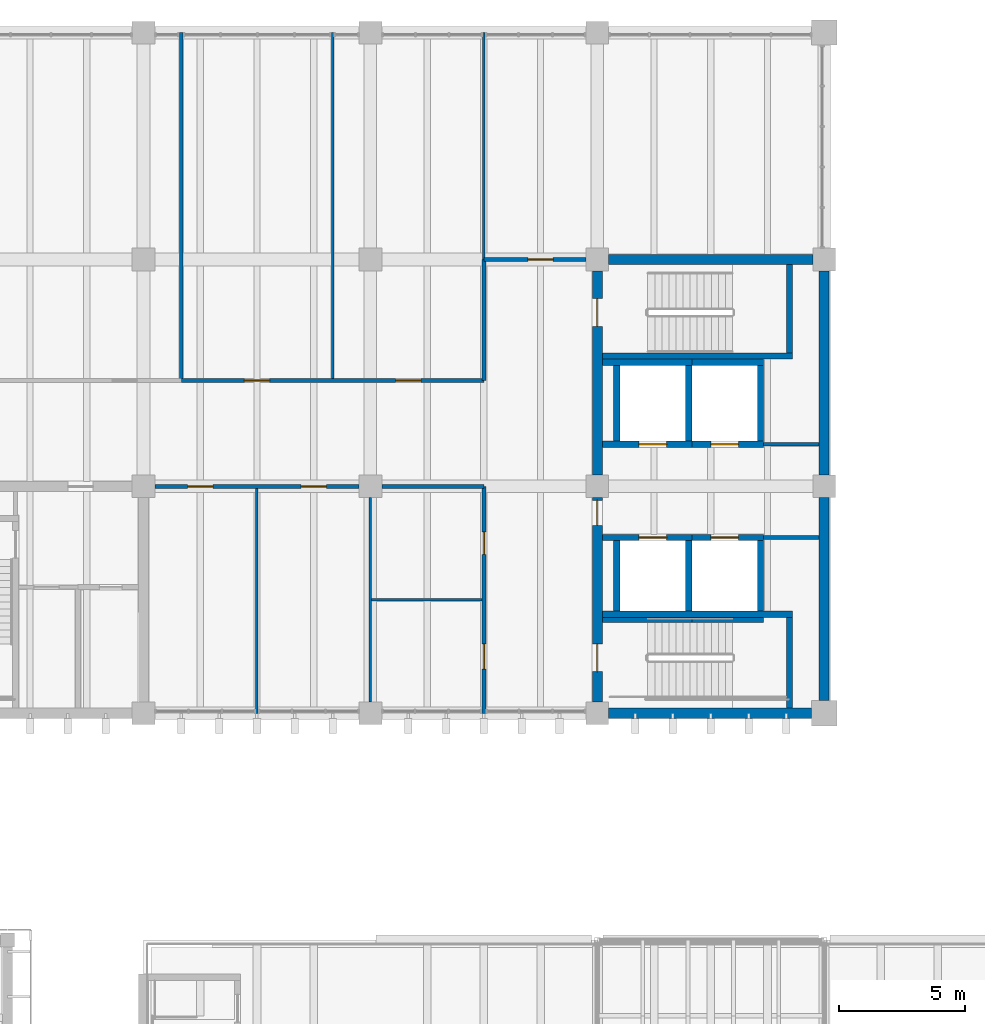
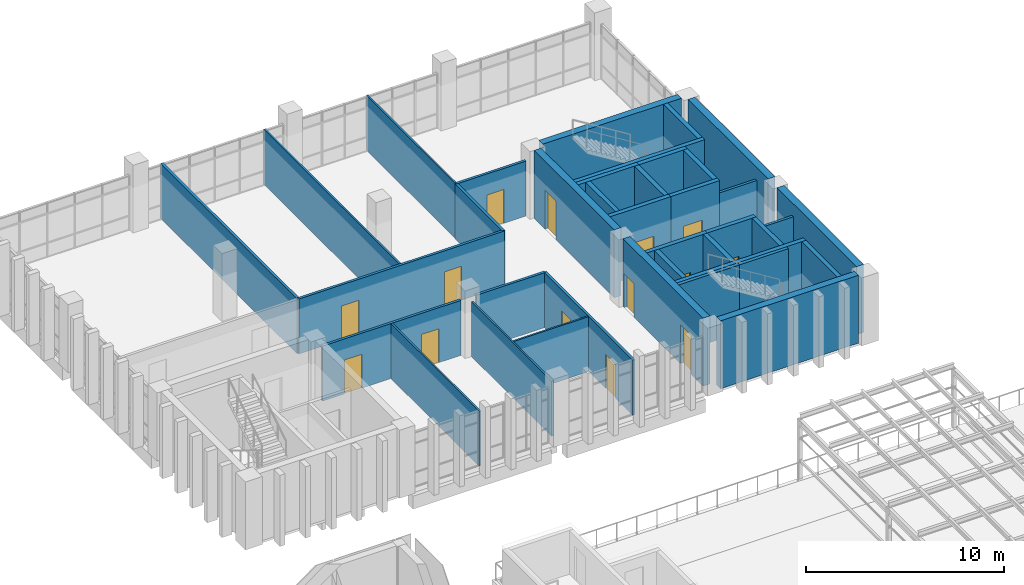
# One storey, part 49 of 74: 38 walls, 14 doors, 14 openings.
"""IFC4 building model written with IfcOpenShell, lengths in metres."""

from ifc_helpers import new_model, si_unit, direction, frame, frame_2d, origin, place, context, subcontext, project, spatial, rectangle, extrude, material, layer, layer_set, type_object, element, fill, save


model = new_model("IFC4")

# Units and contexts
model_context = context("Model", 3, precision=1e-05, world=origin(), true_north=direction((0.0, 1.0)))
body_context = subcontext(model_context, "Body", "Model", "MODEL_VIEW")
ifc_project = project(units=[si_unit("LENGTHUNIT", "METRE"), si_unit("AREAUNIT", "SQUARE_METRE"), si_unit("VOLUMEUNIT", "CUBIC_METRE"), si_unit("PLANEANGLEUNIT", "RADIAN"), si_unit("MASSUNIT", "GRAM", prefix="KILO")], contexts=[model_context])

# Site, building, storey
site_placement = place(None, origin())
site = spatial("IfcSite", under=ifc_project, at=site_placement, CompositionType="ELEMENT")
building_placement = place(site_placement, origin())
building = spatial("IfcBuilding", under=site, at=building_placement, Name="Merrow Basin Faculty of Sciences", CompositionType="ELEMENT")
storey_placement = place(building_placement, frame((0.0, 0.0, 13.5)))
storey = spatial("IfcBuildingStorey", under=building, at=storey_placement, Name="L03", CompositionType="ELEMENT", Elevation=13.5)

# Wall, openings, doors
ifc_material_1 = material(Name="Fire-rated gypsum board")
ifc_layer_1 = layer(ifc_material_1, 0.14990234375)
ifc_layer_set_1 = layer_set([ifc_layer_1], Name="Corridor partition 150 fire-rated board on steel studs")
wall_type_1 = type_object("IfcWallType", Name="Corridor partition 150 fire-rated board on steel studs", PredefinedType="PARTITIONING", material=ifc_layer_set_1)
wall_1_placement = place(storey_placement, frame((40.5, 142.0, 0.0), z_axis=(0.0, 0.0, 1.0), x_axis=(0.0, 1.0, 0.0)))
wall_1 = element("IfcWall", 1, at=wall_1_placement, inside=storey, type_object=wall_type_1, Name="IW151 L03 004", PredefinedType="PARTITIONING", context=body_context, shape_type="SweptSolid", body=[
    extrude(rectangle(XDim=9.0, YDim=0.14990234375, at=frame_2d((4.5, 0.0))), origin(), (0.0, 0.0, 1.0), 3.39990234375),
])
opening_1_placement = place(wall_1_placement, frame((1.75, 0.0, 0.0)))
opening_1 = element("IfcOpeningElement", 2, at=opening_1_placement, cuts=wall_1, Name="Opening D03T008", PredefinedType="OPENING", context=body_context, shape_type="SweptSolid", body=[
    extrude(rectangle(XDim=1.0, YDim=2.10009765625, at=frame_2d((0.5, 1.050048828125))), frame((0.0, 0.0849609375, 0.0), z_axis=(0.0, -1.0, 0.0), x_axis=(1.0, 0.0, 0.0)), (0.0, 0.0, 1.0), 0.169921875),
])
opening_2_placement = place(wall_1_placement, frame((6.300048828125, 0.0, 0.0)))
opening_2 = element("IfcOpeningElement", 3, at=opening_2_placement, cuts=wall_1, Name="Opening D03T009", PredefinedType="OPENING", context=body_context, shape_type="SweptSolid", body=[
    extrude(rectangle(XDim=0.89990234375, YDim=2.10009765625, at=frame_2d((0.449951171875, 1.050048828125))), frame((0.0, 0.0849609375, 0.0), z_axis=(0.0, -1.0, 0.0), x_axis=(1.0, 0.0, 0.0)), (0.0, 0.0, 1.0), 0.169921875),
])
ifc_material_2 = material(Name="Timber door leaf", Category="wood")
door_type_1 = type_object("IfcDoorType", Name="Accessible door 1000 x 2100", OperationType="NOTDEFINED", PredefinedType="DOOR", material=ifc_material_2)
door_1_placement = place(opening_1_placement, origin())
door_1 = element("IfcDoor", 4, at=door_1_placement, inside=storey, type_object=door_type_1, Name="Door D03T008", OperationType="SINGLE_SWING_LEFT", OverallHeight=2.10009765625, OverallWidth=1.0, PredefinedType="DOOR", context=body_context, shape_type="SweptSolid", body=[
    extrude(rectangle(XDim=1.0, YDim=2.10009765625, at=frame_2d((0.5, 1.050048828125))), frame((0.0, 0.02490234375, 0.0), z_axis=(0.0, -1.0, 0.0), x_axis=(1.0, 0.0, 0.0)), (0.0, 0.0, 1.0), 0.050048828125),
])
fill(opening_1, door_1)
ifc_material_3 = material(Name="Timber door leaf", Category="wood")
door_type_2 = type_object("IfcDoorType", Name="Single swing door 900 x 2100", OperationType="NOTDEFINED", PredefinedType="DOOR", material=ifc_material_3)
door_2_placement = place(opening_2_placement, origin())
door_2 = element("IfcDoor", 5, at=door_2_placement, inside=storey, type_object=door_type_2, Name="Door D03T009", OperationType="SINGLE_SWING_LEFT", OverallHeight=2.10009765625, OverallWidth=0.89990234375, PredefinedType="DOOR", context=body_context, shape_type="SweptSolid", body=[
    extrude(rectangle(XDim=0.89990234375, YDim=2.10009765625, at=frame_2d((0.449951171875, 1.050048828125))), frame((0.0, 0.02490234375, 0.0), z_axis=(0.0, -1.0, 0.0), x_axis=(1.0, 0.0, 0.0)), (0.0, 0.0, 1.0), 0.050048828125),
])
fill(opening_2, door_2)

# Walls
wall_2_placement = place(storey_placement, frame((40.5, 155.199951171875, 0.0), z_axis=(0.0, 0.0, 1.0), x_axis=(0.0, 1.0, 0.0)))
element("IfcWall", 6, at=wall_2_placement, inside=storey, type_object=wall_type_1, Name="IW151 L03 005", PredefinedType="PARTITIONING", context=body_context, shape_type="SweptSolid", body=[
    extrude(rectangle(XDim=4.800048828125, YDim=0.14990234375, at=frame_2d((2.39990234375, 0.0))), origin(), (0.0, 0.0, 1.0), 3.39990234375),
])
wall_3_placement = place(storey_placement, frame((51.60009765625, 148.97509765625, 0.0), z_axis=(0.0, 0.0, 1.0), x_axis=(1.0, 0.0, 0.0)))
element("IfcWall", 7, at=wall_3_placement, inside=storey, type_object=wall_type_1, Name="IW151 L03 007", PredefinedType="PARTITIONING", context=body_context, shape_type="SweptSolid", body=[
    extrude(rectangle(XDim=2.199951171875, YDim=0.14990234375, at=frame_2d((1.10009765625, 0.0))), origin(), (0.0, 0.0, 1.0), 3.39990234375),
])

# Wall, openings, doors
wall_4_placement = place(storey_placement, frame((27.449951171875, 151.0, 0.0), z_axis=(0.0, 0.0, 1.0), x_axis=(1.0, 0.0, 0.0)))
wall_4 = element("IfcWall", 8, at=wall_4_placement, inside=storey, type_object=wall_type_1, Name="IW151 L03 008", PredefinedType="PARTITIONING", context=body_context, shape_type="SweptSolid", body=[
    extrude(rectangle(XDim=8.10009765625, YDim=0.14990234375, at=frame_2d((4.050048828125, 0.0))), origin(), (0.0, 0.0, 1.0), 3.39990234375),
])
opening_3_placement = place(wall_4_placement, frame((1.300048828125, 0.0, 0.0)))
opening_3 = element("IfcOpeningElement", 9, at=opening_3_placement, cuts=wall_4, Name="Opening D03T014", PredefinedType="OPENING", context=body_context, shape_type="SweptSolid", body=[
    extrude(rectangle(XDim=1.0, YDim=2.10009765625, at=frame_2d((0.5, 1.050048828125))), frame((0.0, 0.0849609375, 0.0), z_axis=(0.0, -1.0, 0.0), x_axis=(1.0, 0.0, 0.0)), (0.0, 0.0, 1.0), 0.169921875),
])
opening_4_placement = place(wall_4_placement, frame((5.800048828125, 0.0, 0.0)))
opening_4 = element("IfcOpeningElement", 10, at=opening_4_placement, cuts=wall_4, Name="Opening D03T015", PredefinedType="OPENING", context=body_context, shape_type="SweptSolid", body=[
    extrude(rectangle(XDim=1.0, YDim=2.10009765625, at=frame_2d((0.5, 1.050048828125))), frame((0.0, 0.0849609375, 0.0), z_axis=(0.0, -1.0, 0.0), x_axis=(1.0, 0.0, 0.0)), (0.0, 0.0, 1.0), 0.169921875),
])
ifc_material_4 = material(Name="Timber door leaf", Category="wood")
door_type_3 = type_object("IfcDoorType", Name="Single swing door 1000 x 2100", OperationType="NOTDEFINED", PredefinedType="DOOR", material=ifc_material_4)
door_3_placement = place(opening_3_placement, origin())
door_3 = element("IfcDoor", 11, at=door_3_placement, inside=storey, type_object=door_type_3, Name="Door D03T014", OperationType="SINGLE_SWING_LEFT", OverallHeight=2.10009765625, OverallWidth=1.0, PredefinedType="DOOR", context=body_context, shape_type="SweptSolid", body=[
    extrude(rectangle(XDim=1.0, YDim=2.10009765625, at=frame_2d((0.5, 1.050048828125))), frame((0.0, 0.02490234375, 0.0), z_axis=(0.0, -1.0, 0.0), x_axis=(1.0, 0.0, 0.0)), (0.0, 0.0, 1.0), 0.050048828125),
])
fill(opening_3, door_3)
door_4_placement = place(opening_4_placement, origin())
door_4 = element("IfcDoor", 12, at=door_4_placement, inside=storey, type_object=door_type_3, Name="Door D03T015", OperationType="SINGLE_SWING_LEFT", OverallHeight=2.10009765625, OverallWidth=1.0, PredefinedType="DOOR", context=body_context, shape_type="SweptSolid", body=[
    extrude(rectangle(XDim=1.0, YDim=2.10009765625, at=frame_2d((0.5, 1.050048828125))), frame((0.0, 0.02490234375, 0.0), z_axis=(0.0, -1.0, 0.0), x_axis=(1.0, 0.0, 0.0)), (0.0, 0.0, 1.0), 0.050048828125),
])
fill(opening_4, door_4)

# Walls
wall_5_placement = place(storey_placement, frame((36.449951171875, 151.0, 0.0), z_axis=(0.0, 0.0, 1.0), x_axis=(1.0, 0.0, 0.0)))
element("IfcWall", 13, at=wall_5_placement, inside=storey, type_object=wall_type_1, Name="IW151 L03 009", PredefinedType="PARTITIONING", context=body_context, shape_type="SweptSolid", body=[
    extrude(rectangle(XDim=4.050048828125, YDim=0.14990234375, at=frame_2d((2.02490234375, 0.0))), origin(), (0.0, 0.0, 1.0), 3.39990234375),
])
wall_6_placement = place(storey_placement, frame((51.60009765625, 152.675048828125, 0.0), z_axis=(0.0, 0.0, 1.0), x_axis=(1.0, 0.0, 0.0)))
element("IfcWall", 14, at=wall_6_placement, inside=storey, type_object=wall_type_1, Name="IW151 L03 010", PredefinedType="PARTITIONING", context=body_context, shape_type="SweptSolid", body=[
    extrude(rectangle(XDim=2.199951171875, YDim=0.14990234375, at=frame_2d((1.10009765625, 0.0))), origin(), (0.0, 0.0, 1.0), 3.39990234375),
])

# Wall, openings, doors
wall_7_placement = place(storey_placement, frame((28.5, 155.199951171875, 0.0), z_axis=(0.0, 0.0, 1.0), x_axis=(1.0, 0.0, 0.0)))
wall_7 = element("IfcWall", 15, at=wall_7_placement, inside=storey, type_object=wall_type_1, Name="IW151 L03 011", PredefinedType="PARTITIONING", context=body_context, shape_type="SweptSolid", body=[
    extrude(rectangle(XDim=12.0, YDim=0.14990234375, at=frame_2d((6.0, 0.0))), origin(), (0.0, 0.0, 1.0), 3.39990234375),
])
opening_5_placement = place(wall_7_placement, frame((2.5, 0.0, 0.0)))
opening_5 = element("IfcOpeningElement", 16, at=opening_5_placement, cuts=wall_7, Name="Opening D03T012", PredefinedType="OPENING", context=body_context, shape_type="SweptSolid", body=[
    extrude(rectangle(XDim=1.0, YDim=2.10009765625, at=frame_2d((0.5, 1.050048828125))), frame((0.0, 0.0849609375, 0.0), z_axis=(0.0, -1.0, 0.0), x_axis=(1.0, 0.0, 0.0)), (0.0, 0.0, 1.0), 0.169921875),
])
opening_6_placement = place(wall_7_placement, frame((8.5, 0.0, 0.0)))
opening_6 = element("IfcOpeningElement", 17, at=opening_6_placement, cuts=wall_7, Name="Opening D03T013", PredefinedType="OPENING", context=body_context, shape_type="SweptSolid", body=[
    extrude(rectangle(XDim=1.0, YDim=2.10009765625, at=frame_2d((0.5, 1.050048828125))), frame((0.0, 0.0849609375, 0.0), z_axis=(0.0, -1.0, 0.0), x_axis=(1.0, 0.0, 0.0)), (0.0, 0.0, 1.0), 0.169921875),
])
door_5_placement = place(opening_5_placement, origin())
door_5 = element("IfcDoor", 18, at=door_5_placement, inside=storey, type_object=door_type_3, Name="Door D03T012", OperationType="SINGLE_SWING_LEFT", OverallHeight=2.10009765625, OverallWidth=1.0, PredefinedType="DOOR", context=body_context, shape_type="SweptSolid", body=[
    extrude(rectangle(XDim=1.0, YDim=2.10009765625, at=frame_2d((0.5, 1.050048828125))), frame((0.0, 0.02490234375, 0.0), z_axis=(0.0, -1.0, 0.0), x_axis=(1.0, 0.0, 0.0)), (0.0, 0.0, 1.0), 0.050048828125),
])
fill(opening_5, door_5)
door_6_placement = place(opening_6_placement, origin())
door_6 = element("IfcDoor", 19, at=door_6_placement, inside=storey, type_object=door_type_3, Name="Door D03T013", OperationType="SINGLE_SWING_LEFT", OverallHeight=2.10009765625, OverallWidth=1.0, PredefinedType="DOOR", context=body_context, shape_type="SweptSolid", body=[
    extrude(rectangle(XDim=1.0, YDim=2.10009765625, at=frame_2d((0.5, 1.050048828125))), frame((0.0, 0.02490234375, 0.0), z_axis=(0.0, -1.0, 0.0), x_axis=(1.0, 0.0, 0.0)), (0.0, 0.0, 1.0), 0.050048828125),
])
fill(opening_6, door_6)

# Wall, opening, door
wall_8_placement = place(storey_placement, frame((40.5, 160.0, 0.0), z_axis=(0.0, 0.0, 1.0), x_axis=(1.0, 0.0, 0.0)))
wall_8 = element("IfcWall", 20, at=wall_8_placement, inside=storey, type_object=wall_type_1, Name="IW151 L03 012", PredefinedType="PARTITIONING", context=body_context, shape_type="SweptSolid", body=[
    extrude(rectangle(XDim=4.050048828125, YDim=0.14990234375, at=frame_2d((2.02490234375, 0.0))), origin(), (0.0, 0.0, 1.0), 3.39990234375),
])
opening_7_placement = place(wall_8_placement, frame((1.75, 0.0, 0.0)))
opening_7 = element("IfcOpeningElement", 21, at=opening_7_placement, cuts=wall_8, Name="Opening D03T016", PredefinedType="OPENING", context=body_context, shape_type="SweptSolid", body=[
    extrude(rectangle(XDim=1.0, YDim=2.10009765625, at=frame_2d((0.5, 1.050048828125))), frame((0.0, 0.0849609375, 0.0), z_axis=(0.0, -1.0, 0.0), x_axis=(1.0, 0.0, 0.0)), (0.0, 0.0, 1.0), 0.169921875),
])
door_7_placement = place(opening_7_placement, origin())
door_7 = element("IfcDoor", 22, at=door_7_placement, inside=storey, type_object=door_type_3, Name="Door D03T016", OperationType="SINGLE_SWING_LEFT", OverallHeight=2.10009765625, OverallWidth=1.0, PredefinedType="DOOR", context=body_context, shape_type="SweptSolid", body=[
    extrude(rectangle(XDim=1.0, YDim=2.10009765625, at=frame_2d((0.5, 1.050048828125))), frame((0.0, 0.02490234375, 0.0), z_axis=(0.0, -1.0, 0.0), x_axis=(1.0, 0.0, 0.0)), (0.0, 0.0, 1.0), 0.050048828125),
])
fill(opening_7, door_7)

# Walls
ifc_material_5 = material(Name="Fire-rated gypsum board")
ifc_layer_2 = layer(ifc_material_5, 0.14990234375)
ifc_layer_set_2 = layer_set([ifc_layer_2], Name="Laboratory partition 150 fire-rated board on steel studs")
wall_type_2 = type_object("IfcWallType", Name="Laboratory partition 150 fire-rated board on steel studs", PredefinedType="PARTITIONING", material=ifc_layer_set_2)
wall_9_placement = place(storey_placement, frame((28.5, 155.199951171875, 0.0), z_axis=(0.0, 0.0, 1.0), x_axis=(0.0, 1.0, 0.0)))
element("IfcWall", 23, at=wall_9_placement, inside=storey, type_object=wall_type_2, Name="IW150 L03 013", PredefinedType="PARTITIONING", context=body_context, shape_type="SweptSolid", body=[
    extrude(rectangle(XDim=13.800048828125, YDim=0.14990234375, at=frame_2d((6.89990234375, 0.0))), origin(), (0.0, 0.0, 1.0), 3.39990234375),
])
ifc_material_6 = material(Name="Gypsum board")
ifc_layer_3 = layer(ifc_material_6, 0.10009765625)
ifc_layer_set_3 = layer_set([ifc_layer_3], Name="Partition 100 gypsum board on steel studs")
wall_type_3 = type_object("IfcWallType", Name="Partition 100 gypsum board on steel studs", PredefinedType="PARTITIONING", material=ifc_layer_set_3)
wall_10_placement = place(storey_placement, frame((31.5, 142.0, 0.0), z_axis=(0.0, 0.0, 1.0), x_axis=(0.0, 1.0, 0.0)))
element("IfcWall", 24, at=wall_10_placement, inside=storey, type_object=wall_type_3, Name="IW100 L03 017", PredefinedType="PARTITIONING", context=body_context, shape_type="SweptSolid", body=[
    extrude(rectangle(XDim=8.925048828125, YDim=0.10009765625, at=frame_2d((4.46240234375, 0.0))), origin(), (0.0, 0.0, 1.0), 3.39990234375),
])
wall_11_placement = place(storey_placement, frame((34.5, 155.27490234375, 0.0), z_axis=(0.0, 0.0, 1.0), x_axis=(0.0, 1.0, 0.0)))
element("IfcWall", 25, at=wall_11_placement, inside=storey, type_object=wall_type_3, Name="IW100 L03 018", PredefinedType="PARTITIONING", context=body_context, shape_type="SweptSolid", body=[
    extrude(rectangle(XDim=13.72509765625, YDim=0.10009765625, at=frame_2d((6.862548828125, 0.0))), origin(), (0.0, 0.0, 1.0), 3.39990234375),
])
wall_12_placement = place(storey_placement, frame((40.5, 160.0, 0.0), z_axis=(0.0, 0.0, 1.0), x_axis=(0.0, 1.0, 0.0)))
element("IfcWall", 26, at=wall_12_placement, inside=storey, type_object=wall_type_3, Name="IW100 L03 019", PredefinedType="PARTITIONING", context=body_context, shape_type="SweptSolid", body=[
    extrude(rectangle(XDim=9.0, YDim=0.10009765625, at=frame_2d((4.5, 0.0))), origin(), (0.0, 0.0, 1.0), 3.39990234375),
])
ifc_material_7 = material(Name="Moisture-resistant gypsum board")
ifc_layer_4 = layer(ifc_material_7, 0.10009765625)
ifc_layer_set_4 = layer_set([ifc_layer_4], Name="Partition 100 moisture-resistant board on steel studs")
wall_type_4 = type_object("IfcWallType", Name="Partition 100 moisture-resistant board on steel studs", PredefinedType="PARTITIONING", material=ifc_layer_set_4)
wall_13_placement = place(storey_placement, frame((36.0, 142.449951171875, 0.0), z_axis=(0.0, 0.0, 1.0), x_axis=(0.0, 1.0, 0.0)))
element("IfcWall", 27, at=wall_13_placement, inside=storey, type_object=wall_type_4, Name="IW101 L03 015", PredefinedType="PARTITIONING", context=body_context, shape_type="SweptSolid", body=[
    extrude(rectangle(XDim=8.10009765625, YDim=0.10009765625, at=frame_2d((4.050048828125, 0.0))), origin(), (0.0, 0.0, 1.0), 3.39990234375),
])
wall_14_placement = place(storey_placement, frame((36.050048828125, 146.5, 0.0), z_axis=(0.0, 0.0, 1.0), x_axis=(1.0, 0.0, 0.0)))
element("IfcWall", 28, at=wall_14_placement, inside=storey, type_object=wall_type_4, Name="IW101 L03 016", PredefinedType="PARTITIONING", context=body_context, shape_type="SweptSolid", body=[
    extrude(rectangle(XDim=4.375, YDim=0.10009765625, at=frame_2d((2.1875, 0.0))), origin(), (0.0, 0.0, 1.0), 3.39990234375),
])
ifc_material_8 = material(Name="Concrete C50/60", Category="concrete")
ifc_layer_5 = layer(ifc_material_8, 0.199951171875)
ifc_layer_set_5 = layer_set([ifc_layer_5], Name="Shear wall 200 Concrete C50/60")
wall_type_5 = type_object("IfcWallType", Name="Shear wall 200 Concrete C50/60", PredefinedType="SHEAR", material=ifc_layer_set_5)
wall_15_placement = place(storey_placement, frame((45.199951171875, 145.699951171875, 0.0), z_axis=(0.0, 0.0, 1.0), x_axis=(1.0, 0.0, 0.0)))
element("IfcWall", 29, at=wall_15_placement, inside=storey, type_object=wall_type_5, Name="SW5 L03 018", PredefinedType="SHEAR", context=body_context, shape_type="SweptSolid", body=[
    extrude(rectangle(XDim=3.550048828125, YDim=0.199951171875, at=frame_2d((1.77490234375, 0.0))), origin(), (0.0, 0.0, 1.0), 4.199951171875),
])
wall_16_placement = place(storey_placement, frame((48.75, 145.699951171875, 0.0), z_axis=(0.0, 0.0, 1.0), x_axis=(1.0, 0.0, 0.0)))
element("IfcWall", 30, at=wall_16_placement, inside=storey, type_object=wall_type_5, Name="SW5 L03 022", PredefinedType="SHEAR", context=body_context, shape_type="SweptSolid", body=[
    extrude(rectangle(XDim=2.85009765625, YDim=0.199951171875, at=frame_2d((1.425048828125, 0.0))), origin(), (0.0, 0.0, 1.0), 4.199951171875),
])
ifc_material_9 = material(Name="Concrete C50/60", Category="concrete")
ifc_layer_6 = layer(ifc_material_9, 0.25)
ifc_layer_set_6 = layer_set([ifc_layer_6], Name="Shear wall 250 Concrete C50/60")
wall_type_6 = type_object("IfcWallType", Name="Shear wall 250 Concrete C50/60", PredefinedType="SHEAR", material=ifc_layer_set_6)
wall_17_placement = place(storey_placement, frame((45.199951171875, 156.175048828125, 0.0), z_axis=(0.0, 0.0, 1.0), x_axis=(1.0, 0.0, 0.0)))
element("IfcWall", 31, at=wall_17_placement, inside=storey, type_object=wall_type_6, Name="SW4 L03 007", PredefinedType="SHEAR", context=body_context, shape_type="SweptSolid", body=[
    extrude(rectangle(XDim=7.550048828125, YDim=0.25, at=frame_2d((3.77490234375, 0.0))), origin(), (0.0, 0.0, 1.0), 4.199951171875),
])
wall_18_placement = place(storey_placement, frame((52.625, 156.300048828125, 0.0), z_axis=(0.0, 0.0, 1.0), x_axis=(0.0, 1.0, 0.0)))
element("IfcWall", 32, at=wall_18_placement, inside=storey, type_object=wall_type_6, Name="SW4 L03 008", PredefinedType="SHEAR", context=body_context, shape_type="SweptSolid", body=[
    extrude(rectangle(XDim=3.5, YDim=0.25, at=frame_2d((1.75, 0.0))), origin(), (0.0, 0.0, 1.0), 4.199951171875),
])
wall_19_placement = place(storey_placement, frame((45.199951171875, 145.925048828125, 0.0), z_axis=(0.0, 0.0, 1.0), x_axis=(1.0, 0.0, 0.0)))
element("IfcWall", 33, at=wall_19_placement, inside=storey, type_object=wall_type_6, Name="SW4 L03 009", PredefinedType="SHEAR", context=body_context, shape_type="SweptSolid", body=[
    extrude(rectangle(XDim=7.550048828125, YDim=0.25, at=frame_2d((3.77490234375, 0.0))), origin(), (0.0, 0.0, 1.0), 4.199951171875),
])
wall_20_placement = place(storey_placement, frame((52.625, 142.199951171875, 0.0), z_axis=(0.0, 0.0, 1.0), x_axis=(0.0, 1.0, 0.0)))
element("IfcWall", 34, at=wall_20_placement, inside=storey, type_object=wall_type_6, Name="SW4 L03 010", PredefinedType="SHEAR", context=body_context, shape_type="SweptSolid", body=[
    extrude(rectangle(XDim=3.60009765625, YDim=0.25, at=frame_2d((1.800048828125, 0.0))), origin(), (0.0, 0.0, 1.0), 4.199951171875),
])

# Wall, opening, door
wall_21_placement = place(storey_placement, frame((45.199951171875, 152.675048828125, 0.0), z_axis=(0.0, 0.0, 1.0), x_axis=(1.0, 0.0, 0.0)))
wall_21 = element("IfcWall", 35, at=wall_21_placement, inside=storey, type_object=wall_type_6, Name="SW4 L03 011", PredefinedType="SHEAR", context=body_context, shape_type="SweptSolid", body=[
    extrude(rectangle(XDim=3.550048828125, YDim=0.25, at=frame_2d((1.77490234375, 0.0))), origin(), (0.0, 0.0, 1.0), 4.199951171875),
])
opening_8_placement = place(wall_21_placement, frame((1.449951171875, 0.0, 0.0)))
opening_8 = element("IfcOpeningElement", 36, at=opening_8_placement, cuts=wall_21, Name="Opening LD03T01", PredefinedType="OPENING", context=body_context, shape_type="SweptSolid", body=[
    extrude(rectangle(XDim=1.10009765625, YDim=2.10009765625, at=frame_2d((0.550048828125, 1.050048828125))), frame((0.0, 0.135009765625, 0.0), z_axis=(0.0, -1.0, 0.0), x_axis=(1.0, 0.0, 0.0)), (0.0, 0.0, 1.0), 0.27001953125),
])
ifc_material_10 = material(Name="Stainless steel sliding door", Category="steel")
door_type_4 = type_object("IfcDoorType", Name="Lift landing door 1100 x 2100 sliding", OperationType="NOTDEFINED", PredefinedType="DOOR", material=ifc_material_10)
door_8_placement = place(opening_8_placement, origin())
door_8 = element("IfcDoor", 37, at=door_8_placement, inside=storey, type_object=door_type_4, Name="Landing door LF11 L03", OperationType="SLIDING_TO_LEFT", OverallHeight=2.10009765625, OverallWidth=1.10009765625, PredefinedType="DOOR", context=body_context, shape_type="SweptSolid", body=[
    extrude(rectangle(XDim=1.10009765625, YDim=2.10009765625, at=frame_2d((0.550048828125, 1.050048828125))), frame((0.0, 0.02490234375, 0.0), z_axis=(0.0, -1.0, 0.0), x_axis=(1.0, 0.0, 0.0)), (0.0, 0.0, 1.0), 0.050048828125),
])
fill(opening_8, door_8)

# Walls
wall_22_placement = place(storey_placement, frame((45.199951171875, 155.925048828125, 0.0), z_axis=(0.0, 0.0, 1.0), x_axis=(1.0, 0.0, 0.0)))
element("IfcWall", 38, at=wall_22_placement, inside=storey, type_object=wall_type_6, Name="SW4 L03 012", PredefinedType="SHEAR", context=body_context, shape_type="SweptSolid", body=[
    extrude(rectangle(XDim=3.550048828125, YDim=0.25, at=frame_2d((1.77490234375, 0.0))), origin(), (0.0, 0.0, 1.0), 4.199951171875),
])
for number, where, z_axis, x_axis, name in (
    (39, (45.77490234375, 152.800048828125, 0.0), (0.0, 0.0, 1.0), (0.0, 1.0, 0.0), "SW4 L03 013"),
    (40, (48.625, 152.800048828125, 0.0), (0.0, 0.0, 1.0), (0.0, 1.0, 0.0), "SW4 L03 014"),
):
    element("IfcWall", number, at=place(storey_placement, frame(where, z_axis=z_axis, x_axis=x_axis)), inside=storey, type_object=wall_type_6, Name=name, PredefinedType="SHEAR", context=body_context, shape_type="SweptSolid", body=[
        extrude(rectangle(XDim=3.0, YDim=0.25, at=frame_2d((1.5, 0.0))), origin(), (0.0, 0.0, 1.0), 4.199951171875),
    ])

# Wall, opening, door
wall_23_placement = place(storey_placement, frame((48.75, 152.675048828125, 0.0), z_axis=(0.0, 0.0, 1.0), x_axis=(1.0, 0.0, 0.0)))
wall_23 = element("IfcWall", 41, at=wall_23_placement, inside=storey, type_object=wall_type_6, Name="SW4 L03 015", PredefinedType="SHEAR", context=body_context, shape_type="SweptSolid", body=[
    extrude(rectangle(XDim=2.85009765625, YDim=0.25, at=frame_2d((1.425048828125, 0.0))), origin(), (0.0, 0.0, 1.0), 4.199951171875),
])
opening_9_placement = place(wall_23_placement, frame((0.75, 0.0, 0.0)))
opening_9 = element("IfcOpeningElement", 42, at=opening_9_placement, cuts=wall_23, Name="Opening LD03T02", PredefinedType="OPENING", context=body_context, shape_type="SweptSolid", body=[
    extrude(rectangle(XDim=1.10009765625, YDim=2.10009765625, at=frame_2d((0.550048828125, 1.050048828125))), frame((0.0, 0.135009765625, 0.0), z_axis=(0.0, -1.0, 0.0), x_axis=(1.0, 0.0, 0.0)), (0.0, 0.0, 1.0), 0.27001953125),
])
door_9_placement = place(opening_9_placement, origin())
door_9 = element("IfcDoor", 43, at=door_9_placement, inside=storey, type_object=door_type_4, Name="Landing door LF12 L03", OperationType="SLIDING_TO_LEFT", OverallHeight=2.10009765625, OverallWidth=1.10009765625, PredefinedType="DOOR", context=body_context, shape_type="SweptSolid", body=[
    extrude(rectangle(XDim=1.10009765625, YDim=2.10009765625, at=frame_2d((0.550048828125, 1.050048828125))), frame((0.0, 0.02490234375, 0.0), z_axis=(0.0, -1.0, 0.0), x_axis=(1.0, 0.0, 0.0)), (0.0, 0.0, 1.0), 0.050048828125),
])
fill(opening_9, door_9)

# Walls
wall_24_placement = place(storey_placement, frame((48.75, 155.925048828125, 0.0), z_axis=(0.0, 0.0, 1.0), x_axis=(1.0, 0.0, 0.0)))
element("IfcWall", 44, at=wall_24_placement, inside=storey, type_object=wall_type_6, Name="SW4 L03 016", PredefinedType="SHEAR", context=body_context, shape_type="SweptSolid", body=[
    extrude(rectangle(XDim=2.85009765625, YDim=0.25, at=frame_2d((1.425048828125, 0.0))), origin(), (0.0, 0.0, 1.0), 4.199951171875),
])
wall_25_placement = place(storey_placement, frame((51.47509765625, 152.800048828125, 0.0), z_axis=(0.0, 0.0, 1.0), x_axis=(0.0, 1.0, 0.0)))
element("IfcWall", 45, at=wall_25_placement, inside=storey, type_object=wall_type_6, Name="SW4 L03 017", PredefinedType="SHEAR", context=body_context, shape_type="SweptSolid", body=[
    extrude(rectangle(XDim=3.0, YDim=0.25, at=frame_2d((1.5, 0.0))), origin(), (0.0, 0.0, 1.0), 4.199951171875),
])

# Wall, opening, door
wall_26_placement = place(storey_placement, frame((45.199951171875, 148.97509765625, 0.0), z_axis=(0.0, 0.0, 1.0), x_axis=(1.0, 0.0, 0.0)))
wall_26 = element("IfcWall", 46, at=wall_26_placement, inside=storey, type_object=wall_type_6, Name="SW4 L03 019", PredefinedType="SHEAR", context=body_context, shape_type="SweptSolid", body=[
    extrude(rectangle(XDim=3.550048828125, YDim=0.25, at=frame_2d((1.77490234375, 0.0))), origin(), (0.0, 0.0, 1.0), 4.199951171875),
])
opening_10_placement = place(wall_26_placement, frame((1.449951171875, 0.0, 0.0)))
opening_10 = element("IfcOpeningElement", 47, at=opening_10_placement, cuts=wall_26, Name="Opening LD03T03", PredefinedType="OPENING", context=body_context, shape_type="SweptSolid", body=[
    extrude(rectangle(XDim=1.10009765625, YDim=2.10009765625, at=frame_2d((0.550048828125, 1.050048828125))), frame((0.0, 0.135009765625, 0.0), z_axis=(0.0, -1.0, 0.0), x_axis=(1.0, 0.0, 0.0)), (0.0, 0.0, 1.0), 0.27001953125),
])
door_10_placement = place(opening_10_placement, origin())
door_10 = element("IfcDoor", 48, at=door_10_placement, inside=storey, type_object=door_type_4, Name="Landing door LF13 L03", OperationType="SLIDING_TO_LEFT", OverallHeight=2.10009765625, OverallWidth=1.10009765625, PredefinedType="DOOR", context=body_context, shape_type="SweptSolid", body=[
    extrude(rectangle(XDim=1.10009765625, YDim=2.10009765625, at=frame_2d((0.550048828125, 1.050048828125))), frame((0.0, 0.02490234375, 0.0), z_axis=(0.0, -1.0, 0.0), x_axis=(1.0, 0.0, 0.0)), (0.0, 0.0, 1.0), 0.050048828125),
])
fill(opening_10, door_10)

# Walls
for number, where, z_axis, x_axis, name in (
    (49, (45.77490234375, 146.050048828125, 0.0), (0.0, 0.0, 1.0), (0.0, 1.0, 0.0), "SW4 L03 020"),
    (50, (48.625, 146.050048828125, 0.0), (0.0, 0.0, 1.0), (0.0, 1.0, 0.0), "SW4 L03 021"),
):
    element("IfcWall", number, at=place(storey_placement, frame(where, z_axis=z_axis, x_axis=x_axis)), inside=storey, type_object=wall_type_6, Name=name, PredefinedType="SHEAR", context=body_context, shape_type="SweptSolid", body=[
        extrude(rectangle(XDim=2.800048828125, YDim=0.25, at=frame_2d((1.39990234375, 0.0))), origin(), (0.0, 0.0, 1.0), 4.199951171875),
    ])

# Wall, opening, door
wall_27_placement = place(storey_placement, frame((48.75, 148.97509765625, 0.0), z_axis=(0.0, 0.0, 1.0), x_axis=(1.0, 0.0, 0.0)))
wall_27 = element("IfcWall", 51, at=wall_27_placement, inside=storey, type_object=wall_type_6, Name="SW4 L03 023", PredefinedType="SHEAR", context=body_context, shape_type="SweptSolid", body=[
    extrude(rectangle(XDim=2.85009765625, YDim=0.25, at=frame_2d((1.425048828125, 0.0))), origin(), (0.0, 0.0, 1.0), 4.199951171875),
])
opening_11_placement = place(wall_27_placement, frame((0.75, 0.0, 0.0)))
opening_11 = element("IfcOpeningElement", 52, at=opening_11_placement, cuts=wall_27, Name="Opening LD03T04", PredefinedType="OPENING", context=body_context, shape_type="SweptSolid", body=[
    extrude(rectangle(XDim=1.10009765625, YDim=2.10009765625, at=frame_2d((0.550048828125, 1.050048828125))), frame((0.0, 0.135009765625, 0.0), z_axis=(0.0, -1.0, 0.0), x_axis=(1.0, 0.0, 0.0)), (0.0, 0.0, 1.0), 0.27001953125),
])
door_11_placement = place(opening_11_placement, origin())
door_11 = element("IfcDoor", 53, at=door_11_placement, inside=storey, type_object=door_type_4, Name="Landing door LF14 L03", OperationType="SLIDING_TO_LEFT", OverallHeight=2.10009765625, OverallWidth=1.10009765625, PredefinedType="DOOR", context=body_context, shape_type="SweptSolid", body=[
    extrude(rectangle(XDim=1.10009765625, YDim=2.10009765625, at=frame_2d((0.550048828125, 1.050048828125))), frame((0.0, 0.02490234375, 0.0), z_axis=(0.0, -1.0, 0.0), x_axis=(1.0, 0.0, 0.0)), (0.0, 0.0, 1.0), 0.050048828125),
])
fill(opening_11, door_11)

# Walls
wall_28_placement = place(storey_placement, frame((51.47509765625, 146.050048828125, 0.0), z_axis=(0.0, 0.0, 1.0), x_axis=(0.0, 1.0, 0.0)))
element("IfcWall", 54, at=wall_28_placement, inside=storey, type_object=wall_type_6, Name="SW4 L03 024", PredefinedType="SHEAR", context=body_context, shape_type="SweptSolid", body=[
    extrude(rectangle(XDim=2.800048828125, YDim=0.25, at=frame_2d((1.39990234375, 0.0))), origin(), (0.0, 0.0, 1.0), 4.199951171875),
])
ifc_material_11 = material(Name="Concrete C50/60", Category="concrete")
ifc_layer_7 = layer(ifc_material_11, 0.39990234375)
ifc_layer_set_7 = layer_set([ifc_layer_7], Name="Shear wall 400 Concrete C50/60")
wall_type_7 = type_object("IfcWallType", Name="Shear wall 400 Concrete C50/60", PredefinedType="SHEAR", material=ifc_layer_set_7)
wall_29_placement = place(storey_placement, frame((45.449951171875, 142.0, 0.0), z_axis=(0.0, 0.0, 1.0), x_axis=(1.0, 0.0, 0.0)))
element("IfcWall", 55, at=wall_29_placement, inside=storey, type_object=wall_type_7, Name="SW3 L03 001", PredefinedType="SHEAR", context=body_context, shape_type="SweptSolid", body=[
    extrude(rectangle(XDim=8.050048828125, YDim=0.39990234375, at=frame_2d((4.02490234375, 0.0))), origin(), (0.0, 0.0, 1.0), 4.199951171875),
])
wall_30_placement = place(storey_placement, frame((45.449951171875, 160.0, 0.0), z_axis=(0.0, 0.0, 1.0), x_axis=(1.0, 0.0, 0.0)))
element("IfcWall", 56, at=wall_30_placement, inside=storey, type_object=wall_type_7, Name="SW3 L03 002", PredefinedType="SHEAR", context=body_context, shape_type="SweptSolid", body=[
    extrude(rectangle(XDim=8.10009765625, YDim=0.39990234375, at=frame_2d((4.050048828125, 0.0))), origin(), (0.0, 0.0, 1.0), 4.199951171875),
])

# Wall, openings, doors
wall_31_placement = place(storey_placement, frame((45.0, 142.449951171875, 0.0), z_axis=(0.0, 0.0, 1.0), x_axis=(0.0, 1.0, 0.0)))
wall_31 = element("IfcWall", 57, at=wall_31_placement, inside=storey, type_object=wall_type_7, Name="SW3 L03 003", PredefinedType="SHEAR", context=body_context, shape_type="SweptSolid", body=[
    extrude(rectangle(XDim=8.10009765625, YDim=0.39990234375, at=frame_2d((4.050048828125, 0.0))), origin(), (0.0, 0.0, 1.0), 4.199951171875),
])
opening_12_placement = place(wall_31_placement, frame((1.199951171875, 0.0, 0.0)))
opening_12 = element("IfcOpeningElement", 58, at=opening_12_placement, cuts=wall_31, Name="Opening D03T001", PredefinedType="OPENING", context=body_context, shape_type="SweptSolid", body=[
    extrude(rectangle(XDim=1.10009765625, YDim=2.39990234375, at=frame_2d((0.550048828125, 1.199951171875))), frame((0.0, 0.2099609375, 0.0), z_axis=(0.0, -1.0, 0.0), x_axis=(1.0, 0.0, 0.0)), (0.0, 0.0, 1.0), 0.419921875),
])
opening_13_placement = place(wall_31_placement, frame((7.0, 0.0, 0.0)))
opening_13 = element("IfcOpeningElement", 59, at=opening_13_placement, cuts=wall_31, Name="Opening D03T003", PredefinedType="OPENING", context=body_context, shape_type="SweptSolid", body=[
    extrude(rectangle(XDim=1.0, YDim=2.10009765625, at=frame_2d((0.5, 1.050048828125))), frame((0.0, 0.2099609375, 0.0), z_axis=(0.0, -1.0, 0.0), x_axis=(1.0, 0.0, 0.0)), (0.0, 0.0, 1.0), 0.419921875),
])
ifc_material_12 = material(Name="Fire-rated steel door", Category="steel")
door_type_5 = type_object("IfcDoorType", Name="Fire door FD90 1100 x 2400", OperationType="NOTDEFINED", PredefinedType="DOOR", material=ifc_material_12)
door_12_placement = place(opening_12_placement, origin())
door_12 = element("IfcDoor", 60, at=door_12_placement, inside=storey, type_object=door_type_5, Name="Door D03T001", OperationType="SINGLE_SWING_LEFT", OverallHeight=2.39990234375, OverallWidth=1.10009765625, PredefinedType="DOOR", context=body_context, shape_type="SweptSolid", body=[
    extrude(rectangle(XDim=1.10009765625, YDim=2.39990234375, at=frame_2d((0.550048828125, 1.199951171875))), frame((0.0, 0.02490234375, 0.0), z_axis=(0.0, -1.0, 0.0), x_axis=(1.0, 0.0, 0.0)), (0.0, 0.0, 1.0), 0.050048828125),
])
fill(opening_12, door_12)
door_13_placement = place(opening_13_placement, origin())
door_13 = element("IfcDoor", 61, at=door_13_placement, inside=storey, type_object=door_type_3, Name="Door D03T003", OperationType="SINGLE_SWING_LEFT", OverallHeight=2.10009765625, OverallWidth=1.0, PredefinedType="DOOR", context=body_context, shape_type="SweptSolid", body=[
    extrude(rectangle(XDim=1.0, YDim=2.10009765625, at=frame_2d((0.5, 1.050048828125))), frame((0.0, 0.02490234375, 0.0), z_axis=(0.0, -1.0, 0.0), x_axis=(1.0, 0.0, 0.0)), (0.0, 0.0, 1.0), 0.050048828125),
])
fill(opening_13, door_13)

# Wall, opening, door
wall_32_placement = place(storey_placement, frame((45.0, 151.449951171875, 0.0), z_axis=(0.0, 0.0, 1.0), x_axis=(0.0, 1.0, 0.0)))
wall_32 = element("IfcWall", 62, at=wall_32_placement, inside=storey, type_object=wall_type_7, Name="SW3 L03 004", PredefinedType="SHEAR", context=body_context, shape_type="SweptSolid", body=[
    extrude(rectangle(XDim=8.10009765625, YDim=0.39990234375, at=frame_2d((4.050048828125, 0.0))), origin(), (0.0, 0.0, 1.0), 4.199951171875),
])
opening_14_placement = place(wall_32_placement, frame((5.89990234375, 0.0, 0.0)))
opening_14 = element("IfcOpeningElement", 63, at=opening_14_placement, cuts=wall_32, Name="Opening D03T002", PredefinedType="OPENING", context=body_context, shape_type="SweptSolid", body=[
    extrude(rectangle(XDim=1.10009765625, YDim=2.39990234375, at=frame_2d((0.550048828125, 1.199951171875))), frame((0.0, 0.2099609375, 0.0), z_axis=(0.0, -1.0, 0.0), x_axis=(1.0, 0.0, 0.0)), (0.0, 0.0, 1.0), 0.419921875),
])
door_14_placement = place(opening_14_placement, origin())
door_14 = element("IfcDoor", 64, at=door_14_placement, inside=storey, type_object=door_type_5, Name="Door D03T002", OperationType="SINGLE_SWING_RIGHT", OverallHeight=2.39990234375, OverallWidth=1.10009765625, PredefinedType="DOOR", context=body_context, shape_type="SweptSolid", body=[
    extrude(rectangle(XDim=1.10009765625, YDim=2.39990234375, at=frame_2d((0.550048828125, 1.199951171875))), frame((0.0, 0.02490234375, 0.0), z_axis=(0.0, -1.0, 0.0), x_axis=(1.0, 0.0, 0.0)), (0.0, 0.0, 1.0), 0.050048828125),
])
fill(opening_14, door_14)

# Walls
wall_33_placement = place(storey_placement, frame((54.0, 151.449951171875, 0.0), z_axis=(0.0, 0.0, 1.0), x_axis=(0.0, 1.0, 0.0)))
element("IfcWall", 65, at=wall_33_placement, inside=storey, type_object=wall_type_7, Name="SW3 L03 005", PredefinedType="SHEAR", context=body_context, shape_type="SweptSolid", body=[
    extrude(rectangle(XDim=8.10009765625, YDim=0.39990234375, at=frame_2d((4.050048828125, 0.0))), origin(), (0.0, 0.0, 1.0), 4.199951171875),
])
wall_34_placement = place(storey_placement, frame((54.0, 142.5, 0.0), z_axis=(0.0, 0.0, 1.0), x_axis=(0.0, 1.0, 0.0)))
element("IfcWall", 66, at=wall_34_placement, inside=storey, type_object=wall_type_7, Name="SW3 L03 006", PredefinedType="SHEAR", context=body_context, shape_type="SweptSolid", body=[
    extrude(rectangle(XDim=8.050048828125, YDim=0.39990234375, at=frame_2d((4.02490234375, 0.0))), origin(), (0.0, 0.0, 1.0), 4.199951171875),
])

save(model, "model.ifc")
